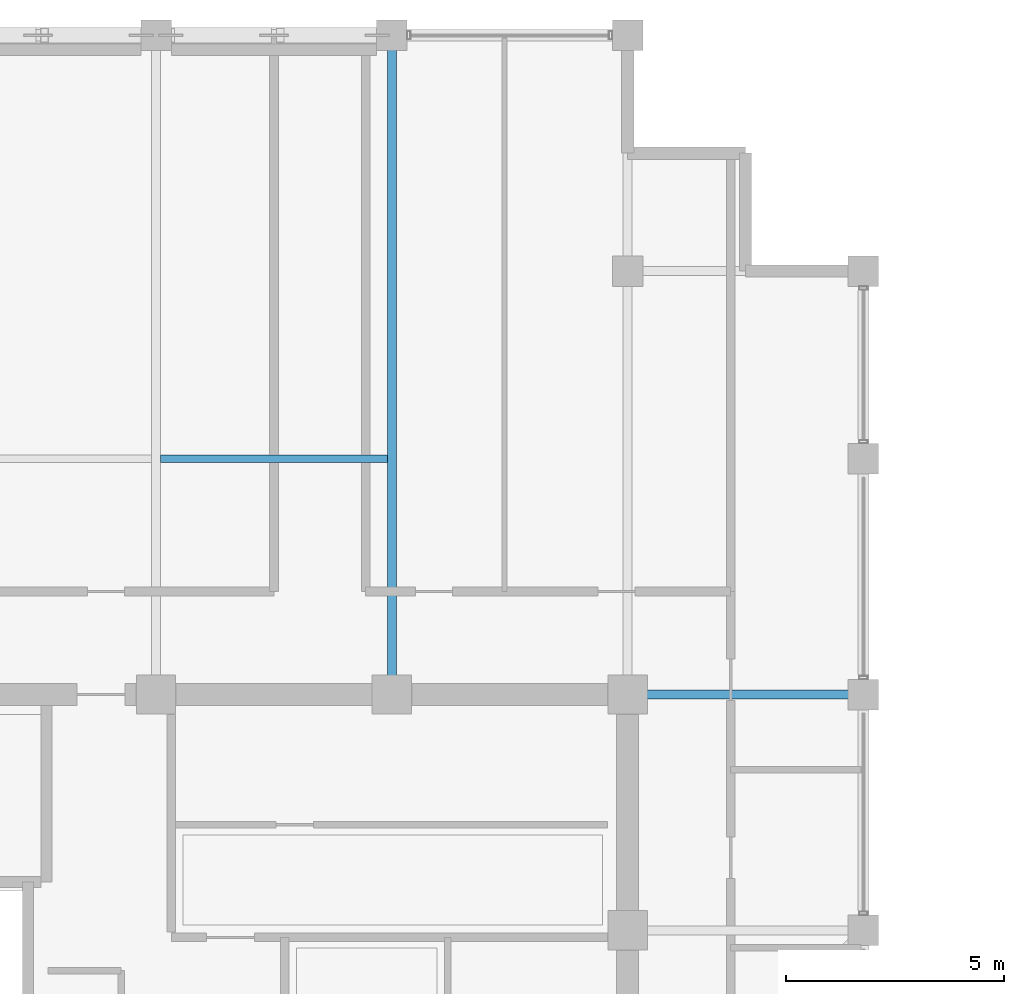
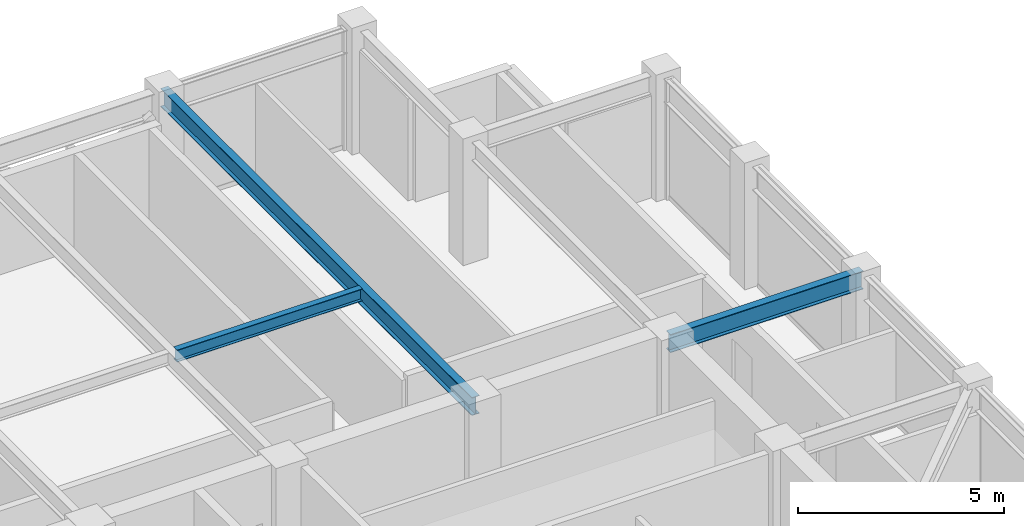
# One storey, part 18 of 31: 3 beams.
"""IFC4 building model written with IfcOpenShell, lengths in metres."""

from ifc_helpers import new_model, si_unit, direction, frame, origin, origin_2d, place, context, subcontext, project, spatial, i_section, extrude, material, material_profile, profile_set, type_object, element, save


model = new_model("IFC4")

# Units and contexts
model_context = context("Model", 3, precision=1e-05, world=origin(), true_north=direction((0.0, 1.0)))
body_context = subcontext(model_context, "Body", "Model", "MODEL_VIEW")
ifc_project = project(units=[si_unit("LENGTHUNIT", "METRE"), si_unit("AREAUNIT", "SQUARE_METRE"), si_unit("VOLUMEUNIT", "CUBIC_METRE"), si_unit("PLANEANGLEUNIT", "RADIAN"), si_unit("MASSUNIT", "GRAM", prefix="KILO")], contexts=[model_context])

# Site, building, storey
site_placement = place(None, origin())
site = spatial("IfcSite", under=ifc_project, at=site_placement, CompositionType="ELEMENT")
building_placement = place(site_placement, origin())
building = spatial("IfcBuilding", under=site, at=building_placement, Name="Surkhivell Harbour Commons", CompositionType="ELEMENT")
storey_placement = place(building_placement, frame((0.0, 0.0, 318.75)))
storey = spatial("IfcBuildingStorey", under=building, at=storey_placement, Name="L83", CompositionType="ELEMENT", Elevation=318.75)

# Beams
ifc_material = material(Name="Steel S355", Category="steel")
ifc_material_profile_1 = material_profile(ifc_material, i_section(OverallWidth=0.2099609375, OverallDepth=0.537109375, WebThickness=0.0107421875, FlangeThickness=0.017333984375, at=origin_2d()), Name="UB533x210x101")
ifc_profile_set_1 = profile_set([ifc_material_profile_1], Name="Steel S355")
beam_type_1 = type_object("IfcBeamType", Name="BM-GRD-533B", PredefinedType="BEAM", material=ifc_profile_set_1)
beam_1_placement = place(storey_placement, frame((5.39990234375, 10.800048828125, 3.301513671875), z_axis=(0.0, 1.0, 0.0), x_axis=(-1.0, 0.0, 0.0)))
element("IfcBeam", 1, at=beam_1_placement, inside=storey, type_object=beam_type_1, Name="L83 Floor Girder (5.4,10.8)", PredefinedType="BEAM", context=body_context, shape_type="SweptSolid", body=[
    extrude(i_section(OverallWidth=0.2099609375, OverallDepth=0.537109375, WebThickness=0.0107421875, FlangeThickness=0.017333984375, at=origin_2d()), origin(), (0.0, 0.0, 1.0), 15.099853515625),
])
beam_2_placement = place(storey_placement, frame((10.800048828125, 10.800048828125, 3.301513671875), z_axis=(1.0, 0.0, 0.0), x_axis=(0.0, 1.0, 0.0)))
element("IfcBeam", 2, at=beam_2_placement, inside=storey, type_object=beam_type_1, Name="L83 Floor Girder (10.8,10.8)", PredefinedType="BEAM", context=body_context, shape_type="SweptSolid", body=[
    extrude(i_section(OverallWidth=0.2099609375, OverallDepth=0.537109375, WebThickness=0.0107421875, FlangeThickness=0.017333984375, at=origin_2d()), origin(), (0.0, 0.0, 1.0), 5.39990234375),
])
ifc_material_profile_2 = material_profile(ifc_material, i_section(OverallWidth=0.172119140625, OverallDepth=0.35791015625, WebThickness=0.008056640625, FlangeThickness=0.012939453125, at=origin_2d()), Name="UB356x171x57")
ifc_profile_set_2 = profile_set([ifc_material_profile_2], Name="Steel S355")
beam_type_2 = type_object("IfcBeamType", Name="BM-JST-356", PredefinedType="JOIST", material=ifc_profile_set_2)
beam_3_placement = place(storey_placement, frame((0.10302734375, 16.199951171875, 3.39111328125), z_axis=(1.0, 0.0, 0.0), x_axis=(0.0, 1.0, 0.0)))
element("IfcBeam", 3, at=beam_3_placement, inside=storey, type_object=beam_type_2, Name="L83 North Composite Joist (0.0)", PredefinedType="JOIST", context=body_context, shape_type="SweptSolid", body=[
    extrude(i_section(OverallWidth=0.172119140625, OverallDepth=0.35791015625, WebThickness=0.008056640625, FlangeThickness=0.012939453125, at=origin_2d()), origin(), (0.0, 0.0, 1.0), 5.194091796875),
])

save(model, "model.ifc")
